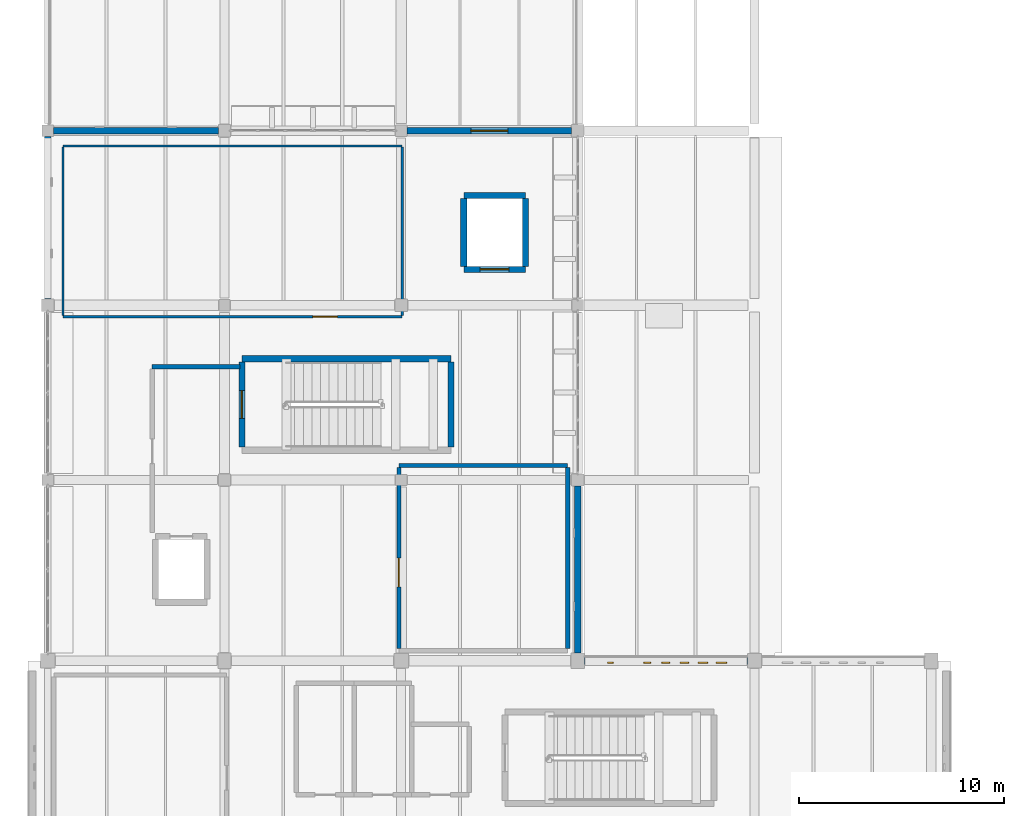
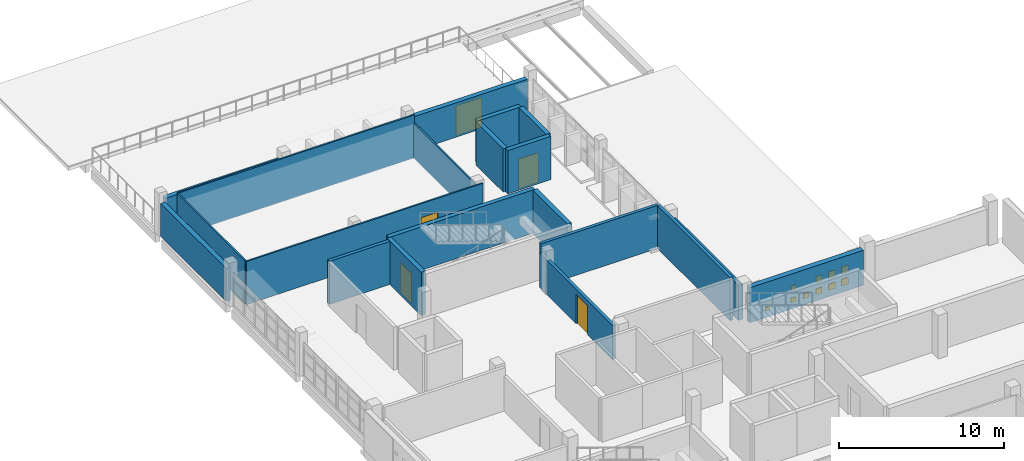
# One storey, part 43 of 55: 20 walls, 10 windows, 5 doors, 15 openings.
"""IFC4 building model written with IfcOpenShell, lengths in metres."""

from ifc_helpers import new_model, si_unit, direction, frame, frame_2d, origin, place, context, subcontext, project, spatial, rectangle, extrude, material, layer, layer_set, type_object, element, fill, save


model = new_model("IFC4")

# Units and contexts
model_context = context("Model", 3, precision=1e-05, world=origin(), true_north=direction((0.0, 1.0)))
body_context = subcontext(model_context, "Body", "Model", "MODEL_VIEW")
ifc_project = project(units=[si_unit("LENGTHUNIT", "METRE"), si_unit("AREAUNIT", "SQUARE_METRE"), si_unit("VOLUMEUNIT", "CUBIC_METRE"), si_unit("PLANEANGLEUNIT", "RADIAN"), si_unit("MASSUNIT", "GRAM", prefix="KILO")], contexts=[model_context])

# Site, building, storey
site_placement = place(None, origin())
site = spatial("IfcSite", under=ifc_project, at=site_placement, CompositionType="ELEMENT")
building_placement = place(site_placement, origin())
building = spatial("IfcBuilding", under=site, at=building_placement, Name="Varnakota Cinema and Media Centre", CompositionType="ELEMENT")
storey_placement = place(building_placement, frame((0.0, 0.0, 15.60009765625)))
storey = spatial("IfcBuildingStorey", under=building, at=storey_placement, Name="L04", CompositionType="ELEMENT", Elevation=15.60009765625)

# Wall, opening, door
ifc_material_1 = material(Name="Autoclaved aerated concrete blockwork", Category="masonry")
ifc_layer_1 = layer(ifc_material_1, 0.2099609375)
ifc_layer_set_1 = layer_set([ifc_layer_1], Name="Autoclaved aerated concrete blockwork")
wall_type_1 = type_object("IfcWallType", Name="W-ACOUST-210", PredefinedType="PARTITIONING", material=ifc_layer_set_1)
wall_1_placement = place(storey_placement, frame((17.094970703125, 35.800048828125, 0.0), z_axis=(0.0, 0.0, 1.0), x_axis=(0.0, 1.0, 0.0)))
wall_1 = element("IfcWall", 1, at=wall_1_placement, inside=storey, type_object=wall_type_1, Name="L04 RWALL-RM-L04-TV2 W wall", PredefinedType="PARTITIONING", context=body_context, shape_type="SweptSolid", body=[
    extrude(rectangle(XDim=8.800048828125, YDim=0.2099609375, at=frame_2d((4.39990234375, 0.0))), origin(), (0.0, 0.0, 1.0), 2.52978515625),
])
opening_1_placement = place(wall_1_placement, frame((3.0, 0.0, 0.0)))
opening_1 = element("IfcOpeningElement", 2, at=opening_1_placement, cuts=wall_1, Name="Opening D-102", PredefinedType="OPENING", context=body_context, shape_type="SweptSolid", body=[
    extrude(rectangle(XDim=1.39990234375, YDim=2.14990234375, at=frame_2d((0.699951171875, 1.074951171875))), frame((0.0, 0.10498046875, 0.0), z_axis=(0.0, -1.0, 0.0), x_axis=(1.0, 0.0, 0.0)), (0.0, 0.0, 1.0), 0.2099609375),
])
ifc_material_2 = material(Name="Thermally broken anodised aluminium AW-6063", Category="aluminium")
door_type_1 = type_object("IfcDoorType", Name="DR-STD-1400x2150", OperationType="DOUBLE_DOOR_SINGLE_SWING", PredefinedType="DOOR", material=ifc_material_2)
door_1_placement = place(opening_1_placement, origin())
door_1 = element("IfcDoor", 3, at=door_1_placement, inside=storey, type_object=door_type_1, Name="L04 door D-102", OperationType="DOUBLE_DOOR_SINGLE_SWING", OverallHeight=2.14990234375, OverallWidth=1.39990234375, PredefinedType="DOOR", context=body_context, shape_type="SweptSolid", body=[
    extrude(rectangle(XDim=1.39990234375, YDim=2.14990234375, at=frame_2d((0.699951171875, 1.074951171875))), frame((0.0, 0.02490234375, 0.0), z_axis=(0.0, -1.0, 0.0), x_axis=(1.0, 0.0, 0.0)), (0.0, 0.0, 1.0), 0.050048828125),
])
fill(opening_1, door_1)

# Walls
wall_2_placement = place(storey_placement, frame((17.094970703125, 44.705078125, 0.0), z_axis=(0.0, 0.0, 1.0), x_axis=(1.0, 0.0, 0.0)))
element("IfcWall", 4, at=wall_2_placement, inside=storey, type_object=wall_type_1, Name="L04 RWALL-RM-L04-TV2 N wall", PredefinedType="PARTITIONING", context=body_context, shape_type="SweptSolid", body=[
    extrude(rectangle(XDim=8.2099609375, YDim=0.2099609375, at=frame_2d((4.10498046875, 0.0))), origin(), (0.0, 0.0, 1.0), 3.179931640625),
])
wall_3_placement = place(storey_placement, frame((25.304931640625, 44.60009765625, 0.0), z_axis=(0.0, 0.0, 1.0), x_axis=(0.0, -1.0, 0.0)))
element("IfcWall", 5, at=wall_3_placement, inside=storey, type_object=wall_type_1, Name="L04 RWALL-RM-L04-TV2 E wall", PredefinedType="PARTITIONING", context=body_context, shape_type="SweptSolid", body=[
    extrude(rectangle(XDim=8.800048828125, YDim=0.2099609375, at=frame_2d((4.39990234375, 0.0))), origin(), (0.0, 0.0, 1.0), 3.179931640625),
])
ifc_material_3 = material(Name="Autoclaved aerated concrete blockwork", Category="masonry")
ifc_layer_2 = layer(ifc_material_3, 0.22998046875)
ifc_layer_set_2 = layer_set([ifc_layer_2], Name="Autoclaved aerated concrete blockwork")
wall_type_2 = type_object("IfcWallType", Name="W-BOX-230", PredefinedType="PARTITIONING", material=ifc_layer_set_2)
wall_4_placement = place(storey_placement, frame((5.0849609375, 49.514892578125, 0.0), z_axis=(0.0, 0.0, 1.0), x_axis=(1.0, 0.0, 0.0)))
element("IfcWall", 6, at=wall_4_placement, inside=storey, type_object=wall_type_2, Name="L04 RWALL-RM-L04-FF-2 N wall", PredefinedType="PARTITIONING", context=body_context, shape_type="SweptSolid", body=[
    extrude(rectangle(XDim=4.280029296875, YDim=0.22998046875, at=frame_2d((2.14013671875, 0.0))), origin(), (0.0, 0.0, 1.0), 3.179931640625),
])

# Wall, opening, door
ifc_material_4 = material(Name="Concrete M40", Category="concrete")
ifc_layer_3 = layer(ifc_material_4, 0.300048828125)
ifc_layer_set_3 = layer_set([ifc_layer_3], Name="Concrete M40")
wall_type_3 = type_object("IfcWallType", Name="W-CORE-300", PredefinedType="SHEAR", material=ifc_layer_set_3)
wall_5_placement = place(storey_placement, frame((9.449951171875, 45.60009765625, 0.0), z_axis=(0.0, 0.0, 1.0), x_axis=(0.0, 1.0, 0.0)))
wall_5 = element("IfcWall", 7, at=wall_5_placement, inside=storey, type_object=wall_type_3, Name="L04 CWALL-ST-03-L04 W wall", PredefinedType="SHEAR", context=body_context, shape_type="SweptSolid", body=[
    extrude(rectangle(XDim=4.14990234375, YDim=0.300048828125, at=frame_2d((2.074951171875, 0.0))), origin(), (0.0, 0.0, 1.0), 3.199951171875),
])
opening_2_placement = place(wall_5_placement, frame((1.39990234375, 0.0, 0.0)))
opening_2 = element("IfcOpeningElement", 8, at=opening_2_placement, cuts=wall_5, Name="Opening SD-03", PredefinedType="OPENING", context=body_context, shape_type="SweptSolid", body=[
    extrude(rectangle(XDim=1.35009765625, YDim=2.199951171875, at=frame_2d((0.675048828125, 1.10009765625))), frame((0.0, 0.14990234375, 0.0), z_axis=(0.0, -1.0, 0.0), x_axis=(1.0, 0.0, 0.0)), (0.0, 0.0, 1.0), 0.300048828125),
])
ifc_material_5 = material(Name="Thermally broken anodised aluminium AW-6063", Category="aluminium")
door_type_2 = type_object("IfcDoorType", Name="DR-STAIR-1350x2200", OperationType="NOTDEFINED", PredefinedType="DOOR", material=ifc_material_5)
door_2_placement = place(opening_2_placement, origin())
door_2 = element("IfcDoor", 9, at=door_2_placement, inside=storey, type_object=door_type_2, Name="L04 door SD-03", OperationType="SINGLE_SWING_LEFT", OverallHeight=2.199951171875, OverallWidth=1.35009765625, PredefinedType="DOOR", context=body_context, shape_type="SweptSolid", body=[
    extrude(rectangle(XDim=1.35009765625, YDim=2.199951171875, at=frame_2d((0.675048828125, 1.10009765625))), frame((0.0, 0.02490234375, 0.0), z_axis=(0.0, -1.0, 0.0), x_axis=(1.0, 0.0, 0.0)), (0.0, 0.0, 1.0), 0.050048828125),
])
fill(opening_2, door_2)

# Walls
wall_6_placement = place(storey_placement, frame((9.449951171875, 49.89990234375, 0.0), z_axis=(0.0, 0.0, 1.0), x_axis=(1.0, 0.0, 0.0)))
element("IfcWall", 10, at=wall_6_placement, inside=storey, type_object=wall_type_3, Name="L04 CWALL-ST-03-L04 N wall", PredefinedType="SHEAR", context=body_context, shape_type="SweptSolid", body=[
    extrude(rectangle(XDim=10.179931640625, YDim=0.300048828125, at=frame_2d((5.08984375, 0.0))), origin(), (0.0, 0.0, 1.0), 3.199951171875),
])
wall_7_placement = place(storey_placement, frame((19.6298828125, 49.75, 0.0), z_axis=(0.0, 0.0, 1.0), x_axis=(0.0, -1.0, 0.0)))
element("IfcWall", 11, at=wall_7_placement, inside=storey, type_object=wall_type_3, Name="L04 CWALL-ST-03-L04 E wall", PredefinedType="SHEAR", context=body_context, shape_type="SweptSolid", body=[
    extrude(rectangle(XDim=4.14990234375, YDim=0.300048828125, at=frame_2d((2.074951171875, 0.0))), origin(), (0.0, 0.0, 1.0), 3.199951171875),
])

# Wall, opening, door
wall_8_placement = place(storey_placement, frame((23.25, 54.25, 0.0), z_axis=(0.0, 0.0, 1.0), x_axis=(-1.0, 0.0, 0.0)))
wall_8 = element("IfcWall", 12, at=wall_8_placement, inside=storey, type_object=wall_type_3, Name="L04 LSHAFT-LF-07-L04 S wall", PredefinedType="SHEAR", context=body_context, shape_type="SweptSolid", body=[
    extrude(rectangle(XDim=3.0, YDim=0.300048828125, at=frame_2d((1.5, 0.0))), origin(), (0.0, 0.0, 1.0), 3.199951171875),
])
opening_3_placement = place(wall_8_placement, frame((0.800048828125, 0.0, 0.0)))
opening_3 = element("IfcOpeningElement", 13, at=opening_3_placement, cuts=wall_8, Name="Opening LD-07", PredefinedType="OPENING", context=body_context, shape_type="SweptSolid", body=[
    extrude(rectangle(XDim=1.39990234375, YDim=2.199951171875, at=frame_2d((0.699951171875, 1.10009765625))), frame((0.0, 0.14990234375, 0.0), z_axis=(0.0, -1.0, 0.0), x_axis=(1.0, 0.0, 0.0)), (0.0, 0.0, 1.0), 0.300048828125),
])
ifc_material_6 = material(Name="Thermally broken anodised aluminium AW-6063", Category="aluminium")
door_type_3 = type_object("IfcDoorType", Name="DR-LIFT-1400x2200", OperationType="DOUBLE_DOOR_SLIDING", PredefinedType="DOOR", material=ifc_material_6)
door_3_placement = place(opening_3_placement, origin())
door_3 = element("IfcDoor", 14, at=door_3_placement, inside=storey, type_object=door_type_3, Name="L04 door LD-07", OperationType="DOUBLE_DOOR_SLIDING", OverallHeight=2.199951171875, OverallWidth=1.39990234375, PredefinedType="DOOR", context=body_context, shape_type="SweptSolid", body=[
    extrude(rectangle(XDim=1.39990234375, YDim=2.199951171875, at=frame_2d((0.699951171875, 1.10009765625))), frame((0.0, 0.02490234375, 0.0), z_axis=(0.0, -1.0, 0.0), x_axis=(1.0, 0.0, 0.0)), (0.0, 0.0, 1.0), 0.050048828125),
])
fill(opening_3, door_3)

# Walls
wall_9_placement = place(storey_placement, frame((20.25, 54.39990234375, 0.0), z_axis=(0.0, 0.0, 1.0), x_axis=(0.0, 1.0, 0.0)))
element("IfcWall", 15, at=wall_9_placement, inside=storey, type_object=wall_type_3, Name="L04 LSHAFT-LF-07-L04 W wall", PredefinedType="SHEAR", context=body_context, shape_type="SweptSolid", body=[
    extrude(rectangle(XDim=3.300048828125, YDim=0.300048828125, at=frame_2d((1.64990234375, 0.0))), origin(), (0.0, 0.0, 1.0), 3.199951171875),
])
wall_10_placement = place(storey_placement, frame((20.25, 57.85009765625, 0.0), z_axis=(0.0, 0.0, 1.0), x_axis=(1.0, 0.0, 0.0)))
element("IfcWall", 16, at=wall_10_placement, inside=storey, type_object=wall_type_3, Name="L04 LSHAFT-LF-07-L04 N wall", PredefinedType="SHEAR", context=body_context, shape_type="SweptSolid", body=[
    extrude(rectangle(XDim=3.0, YDim=0.300048828125, at=frame_2d((1.5, 0.0))), origin(), (0.0, 0.0, 1.0), 3.199951171875),
])
wall_11_placement = place(storey_placement, frame((23.25, 57.699951171875, 0.0), z_axis=(0.0, 0.0, 1.0), x_axis=(0.0, -1.0, 0.0)))
element("IfcWall", 17, at=wall_11_placement, inside=storey, type_object=wall_type_3, Name="L04 LSHAFT-LF-07-L04 E wall", PredefinedType="SHEAR", context=body_context, shape_type="SweptSolid", body=[
    extrude(rectangle(XDim=3.300048828125, YDim=0.300048828125, at=frame_2d((1.64990234375, 0.0))), origin(), (0.0, 0.0, 1.0), 3.199951171875),
])
ifc_material_7 = material(Name="Deccan grey granite ashlar", Category="masonry")
ifc_layer_4 = layer(ifc_material_7, 0.320068359375)
ifc_layer_set_4 = layer_set([ifc_layer_4], Name="Deccan grey granite ashlar")
wall_type_4 = type_object("IfcWallType", Name="W-EXT-GRAN-320", PredefinedType="SOLIDWALL", material=ifc_layer_set_4)
wall_12_placement = place(storey_placement, frame((25.800048828125, 35.574951171875, 0.0), z_axis=(0.0, 0.0, 1.0), x_axis=(0.0, 1.0, 0.0)))
element("IfcWall", 18, at=wall_12_placement, inside=storey, type_object=wall_type_4, Name="L04 exterior wall V5-E-1", PredefinedType="SOLIDWALL", context=body_context, shape_type="SweptSolid", body=[
    extrude(rectangle(XDim=8.125, YDim=0.320068359375, at=frame_2d((4.0625, 0.0))), origin(), (0.0, 0.0, 1.0), 2.5849609375),
])
wall_13_placement = place(storey_placement, frame((0.27490234375, 61.0, 0.0), z_axis=(0.0, 0.0, 1.0), x_axis=(1.0, 0.0, 0.0)))
element("IfcWall", 19, at=wall_13_placement, inside=storey, type_object=wall_type_4, Name="L04 exterior wall V5-N-1", PredefinedType="SOLIDWALL", context=body_context, shape_type="SweptSolid", body=[
    extrude(rectangle(XDim=8.025146484375, YDim=0.320068359375, at=frame_2d((4.0126953125, 0.0))), origin(), (0.0, 0.0, 1.0), 2.5849609375),
])

# Wall, opening, door
wall_14_placement = place(storey_placement, frame((17.47509765625, 61.0, 0.0), z_axis=(0.0, 0.0, 1.0), x_axis=(1.0, 0.0, 0.0)))
wall_14 = element("IfcWall", 20, at=wall_14_placement, inside=storey, type_object=wall_type_4, Name="L04 exterior wall V5-N-3", PredefinedType="SOLIDWALL", context=body_context, shape_type="SweptSolid", body=[
    extrude(rectangle(XDim=8.02490234375, YDim=0.320068359375, at=frame_2d((4.012451171875, 0.0))), origin(), (0.0, 0.0, 1.0), 2.534912109375),
])
opening_4_placement = place(wall_14_placement, frame((3.125, 0.0, 0.0)))
opening_4 = element("IfcOpeningElement", 21, at=opening_4_placement, cuts=wall_14, Name="Opening TD-05", PredefinedType="OPENING", context=body_context, shape_type="SweptSolid", body=[
    extrude(rectangle(XDim=1.800048828125, YDim=2.199951171875, at=frame_2d((0.89990234375, 1.10009765625))), frame((0.0, 0.16015625, 0.0), z_axis=(0.0, -1.0, 0.0), x_axis=(1.0, 0.0, 0.0)), (0.0, 0.0, 1.0), 0.320068359375),
])
ifc_material_8 = material(Name="Anodised golden-bronze aluminium AW-6063", Category="aluminium")
door_type_4 = type_object("IfcDoorType", Name="DR-TERR-1800x2200", OperationType="DOUBLE_DOOR_SINGLE_SWING", PredefinedType="DOOR", material=ifc_material_8)
door_4_placement = place(opening_4_placement, origin())
door_4 = element("IfcDoor", 22, at=door_4_placement, inside=storey, type_object=door_type_4, Name="L04 door TD-05", OperationType="DOUBLE_DOOR_SINGLE_SWING", OverallHeight=2.199951171875, OverallWidth=1.800048828125, PredefinedType="DOOR", context=body_context, shape_type="SweptSolid", body=[
    extrude(rectangle(XDim=1.800048828125, YDim=2.199951171875, at=frame_2d((0.89990234375, 1.10009765625))), frame((0.0, 0.02490234375, 0.0), z_axis=(0.0, -1.0, 0.0), x_axis=(1.0, 0.0, 0.0)), (0.0, 0.0, 1.0), 0.050048828125),
])
fill(opening_4, door_4)

# Wall
wall_15_placement = place(storey_placement, frame((0.0, 60.72509765625, 0.0), z_axis=(0.0, 0.0, 1.0), x_axis=(0.0, -1.0, 0.0)))
element("IfcWall", 23, at=wall_15_placement, inside=storey, type_object=wall_type_4, Name="L04 exterior wall V5-W-1", PredefinedType="SOLIDWALL", context=body_context, shape_type="SweptSolid", body=[
    extrude(rectangle(XDim=7.925048828125, YDim=0.320068359375, at=frame_2d((3.96240234375, 0.0))), origin(), (0.0, 0.0, 1.0), 2.434814453125),
])

# Wall, openings, windows
ifc_material_9 = material(Name="Pale Tandur limestone cladding", Category="masonry")
ifc_layer_5 = layer(ifc_material_9, 0.360107421875)
ifc_layer_set_5 = layer_set([ifc_layer_5], Name="Pale Tandur limestone cladding")
wall_type_5 = type_object("IfcWallType", Name="W-EXT-TANDUR-360", PredefinedType="SOLIDWALL", material=ifc_layer_set_5)
wall_16_placement = place(storey_placement, frame((26.125, 35.199951171875, 0.0), z_axis=(0.0, 0.0, 1.0), x_axis=(1.0, 0.0, 0.0)))
wall_16 = element("IfcWall", 24, at=wall_16_placement, inside=storey, type_object=wall_type_5, Name="L04 V4 pale Tandur stone monolith wall V4-N-01", PredefinedType="SOLIDWALL", context=body_context, shape_type="SweptSolid", body=[
    extrude(rectangle(XDim=7.925048828125, YDim=0.360107421875, at=frame_2d((3.96240234375, 0.0))), origin(), (0.0, 0.0, 1.0), 2.5849609375),
])
opening_5_placement = place(wall_16_placement, frame((1.12255859375, 0.0, 0.419921875)))
opening_5 = element("IfcOpeningElement", 25, at=opening_5_placement, cuts=wall_16, Name="Opening WP15", PredefinedType="OPENING", context=body_context, shape_type="SweptSolid", body=[
    extrude(rectangle(XDim=0.280029296875, YDim=0.280029296875, at=frame_2d((0.14013671875, 0.14013671875))), frame((0.0, 0.18017578125, 0.0), z_axis=(0.0, -1.0, 0.0), x_axis=(1.0, 0.0, 0.0)), (0.0, 0.0, 1.0), 0.360107421875),
])
opening_6_placement = place(wall_16_placement, frame((2.892578125, 0.0, 0.419921875)))
opening_6 = element("IfcOpeningElement", 26, at=opening_6_placement, cuts=wall_16, Name="Opening WP12", PredefinedType="OPENING", context=body_context, shape_type="SweptSolid", body=[
    extrude(rectangle(XDim=0.340087890625, YDim=0.340087890625, at=frame_2d((0.169921875, 0.169921875))), frame((0.0, 0.18017578125, 0.0), z_axis=(0.0, -1.0, 0.0), x_axis=(1.0, 0.0, 0.0)), (0.0, 0.0, 1.0), 0.360107421875),
])
opening_7_placement = place(wall_16_placement, frame((2.892578125, 0.0, 1.320068359375)))
opening_7 = element("IfcOpeningElement", 27, at=opening_7_placement, cuts=wall_16, Name="Opening WP12", PredefinedType="OPENING", context=body_context, shape_type="SweptSolid", body=[
    extrude(rectangle(XDim=0.340087890625, YDim=0.340087890625, at=frame_2d((0.169921875, 0.169921875))), frame((0.0, 0.18017578125, 0.0), z_axis=(0.0, -1.0, 0.0), x_axis=(1.0, 0.0, 0.0)), (0.0, 0.0, 1.0), 0.360107421875),
])
opening_8_placement = place(wall_16_placement, frame((3.7724609375, 0.0, 0.419921875)))
opening_8 = element("IfcOpeningElement", 28, at=opening_8_placement, cuts=wall_16, Name="Opening WP10", PredefinedType="OPENING", context=body_context, shape_type="SweptSolid", body=[
    extrude(rectangle(XDim=0.3798828125, YDim=0.3798828125, at=frame_2d((0.18994140625, 0.18994140625))), frame((0.0, 0.18017578125, 0.0), z_axis=(0.0, -1.0, 0.0), x_axis=(1.0, 0.0, 0.0)), (0.0, 0.0, 1.0), 0.360107421875),
])
opening_9_placement = place(wall_16_placement, frame((4.652587890625, 0.0, 0.419921875)))
opening_9 = element("IfcOpeningElement", 29, at=opening_9_placement, cuts=wall_16, Name="Opening WP08", PredefinedType="OPENING", context=body_context, shape_type="SweptSolid", body=[
    extrude(rectangle(XDim=0.419921875, YDim=0.419921875, at=frame_2d((0.2099609375, 0.2099609375))), frame((0.0, 0.18017578125, 0.0), z_axis=(0.0, -1.0, 0.0), x_axis=(1.0, 0.0, 0.0)), (0.0, 0.0, 1.0), 0.360107421875),
])
opening_10_placement = place(wall_16_placement, frame((4.652587890625, 0.0, 1.320068359375)))
opening_10 = element("IfcOpeningElement", 30, at=opening_10_placement, cuts=wall_16, Name="Opening WP08", PredefinedType="OPENING", context=body_context, shape_type="SweptSolid", body=[
    extrude(rectangle(XDim=0.419921875, YDim=0.419921875, at=frame_2d((0.2099609375, 0.2099609375))), frame((0.0, 0.18017578125, 0.0), z_axis=(0.0, -1.0, 0.0), x_axis=(1.0, 0.0, 0.0)), (0.0, 0.0, 1.0), 0.360107421875),
])
opening_11_placement = place(wall_16_placement, frame((5.532470703125, 0.0, 0.419921875)))
opening_11 = element("IfcOpeningElement", 31, at=opening_11_placement, cuts=wall_16, Name="Opening WP06", PredefinedType="OPENING", context=body_context, shape_type="SweptSolid", body=[
    extrude(rectangle(XDim=0.4599609375, YDim=0.4599609375, at=frame_2d((0.22998046875, 0.22998046875))), frame((0.0, 0.18017578125, 0.0), z_axis=(0.0, -1.0, 0.0), x_axis=(1.0, 0.0, 0.0)), (0.0, 0.0, 1.0), 0.360107421875),
])
opening_12_placement = place(wall_16_placement, frame((5.532470703125, 0.0, 1.320068359375)))
opening_12 = element("IfcOpeningElement", 32, at=opening_12_placement, cuts=wall_16, Name="Opening WP06", PredefinedType="OPENING", context=body_context, shape_type="SweptSolid", body=[
    extrude(rectangle(XDim=0.4599609375, YDim=0.4599609375, at=frame_2d((0.22998046875, 0.22998046875))), frame((0.0, 0.18017578125, 0.0), z_axis=(0.0, -1.0, 0.0), x_axis=(1.0, 0.0, 0.0)), (0.0, 0.0, 1.0), 0.360107421875),
])
opening_13_placement = place(wall_16_placement, frame((6.41259765625, 0.0, 0.419921875)))
opening_13 = element("IfcOpeningElement", 33, at=opening_13_placement, cuts=wall_16, Name="Opening WP04", PredefinedType="OPENING", context=body_context, shape_type="SweptSolid", body=[
    extrude(rectangle(XDim=0.5, YDim=0.5, at=frame_2d((0.25, 0.25))), frame((0.0, 0.18017578125, 0.0), z_axis=(0.0, -1.0, 0.0), x_axis=(1.0, 0.0, 0.0)), (0.0, 0.0, 1.0), 0.360107421875),
])
opening_14_placement = place(wall_16_placement, frame((6.41259765625, 0.0, 1.320068359375)))
opening_14 = element("IfcOpeningElement", 34, at=opening_14_placement, cuts=wall_16, Name="Opening WP04", PredefinedType="OPENING", context=body_context, shape_type="SweptSolid", body=[
    extrude(rectangle(XDim=0.5, YDim=0.5, at=frame_2d((0.25, 0.25))), frame((0.0, 0.18017578125, 0.0), z_axis=(0.0, -1.0, 0.0), x_axis=(1.0, 0.0, 0.0)), (0.0, 0.0, 1.0), 0.360107421875),
])
ifc_material_10 = material(Name="Laminated solar-control double glazing", Category="glass")
window_type_1 = type_object("IfcWindowType", Name="WIN-PIERCE-04", PartitioningType="SINGLE_PANEL", PredefinedType="WINDOW", material=ifc_material_10)
window_1_placement = place(opening_13_placement, origin())
window_1 = element("IfcWindow", 35, at=window_1_placement, inside=storey, type_object=window_type_1, Name="L04 window WP04", OverallHeight=0.5, OverallWidth=0.5, PartitioningType="SINGLE_PANEL", PredefinedType="WINDOW", context=body_context, shape_type="SweptSolid", body=[
    extrude(rectangle(XDim=0.5, YDim=0.5, at=frame_2d((0.25, 0.25))), frame((0.0, -0.070068359375, 0.0), z_axis=(0.0, -1.0, 0.0), x_axis=(1.0, 0.0, 0.0)), (0.0, 0.0, 1.0), 0.06005859375),
])
fill(opening_13, window_1)
window_2_placement = place(opening_14_placement, origin())
window_2 = element("IfcWindow", 36, at=window_2_placement, inside=storey, type_object=window_type_1, Name="L04 window WP04", OverallHeight=0.5, OverallWidth=0.5, PartitioningType="SINGLE_PANEL", PredefinedType="WINDOW", context=body_context, shape_type="SweptSolid", body=[
    extrude(rectangle(XDim=0.5, YDim=0.5, at=frame_2d((0.25, 0.25))), frame((0.0, -0.070068359375, 0.0), z_axis=(0.0, -1.0, 0.0), x_axis=(1.0, 0.0, 0.0)), (0.0, 0.0, 1.0), 0.06005859375),
])
fill(opening_14, window_2)
ifc_material_11 = material(Name="Laminated solar-control double glazing", Category="glass")
window_type_2 = type_object("IfcWindowType", Name="WIN-PIERCE-06", PartitioningType="SINGLE_PANEL", PredefinedType="WINDOW", material=ifc_material_11)
window_3_placement = place(opening_11_placement, origin())
window_3 = element("IfcWindow", 37, at=window_3_placement, inside=storey, type_object=window_type_2, Name="L04 window WP06", OverallHeight=0.4599609375, OverallWidth=0.4599609375, PartitioningType="SINGLE_PANEL", PredefinedType="WINDOW", context=body_context, shape_type="SweptSolid", body=[
    extrude(rectangle(XDim=0.4599609375, YDim=0.4599609375, at=frame_2d((0.22998046875, 0.22998046875))), frame((0.0, -0.070068359375, 0.0), z_axis=(0.0, -1.0, 0.0), x_axis=(1.0, 0.0, 0.0)), (0.0, 0.0, 1.0), 0.06005859375),
])
fill(opening_11, window_3)
window_4_placement = place(opening_12_placement, origin())
window_4 = element("IfcWindow", 38, at=window_4_placement, inside=storey, type_object=window_type_2, Name="L04 window WP06", OverallHeight=0.4599609375, OverallWidth=0.4599609375, PartitioningType="SINGLE_PANEL", PredefinedType="WINDOW", context=body_context, shape_type="SweptSolid", body=[
    extrude(rectangle(XDim=0.4599609375, YDim=0.4599609375, at=frame_2d((0.22998046875, 0.22998046875))), frame((0.0, -0.070068359375, 0.0), z_axis=(0.0, -1.0, 0.0), x_axis=(1.0, 0.0, 0.0)), (0.0, 0.0, 1.0), 0.06005859375),
])
fill(opening_12, window_4)
ifc_material_12 = material(Name="Laminated solar-control double glazing", Category="glass")
window_type_3 = type_object("IfcWindowType", Name="WIN-PIERCE-08", PartitioningType="SINGLE_PANEL", PredefinedType="WINDOW", material=ifc_material_12)
window_5_placement = place(opening_9_placement, origin())
window_5 = element("IfcWindow", 39, at=window_5_placement, inside=storey, type_object=window_type_3, Name="L04 window WP08", OverallHeight=0.419921875, OverallWidth=0.419921875, PartitioningType="SINGLE_PANEL", PredefinedType="WINDOW", context=body_context, shape_type="SweptSolid", body=[
    extrude(rectangle(XDim=0.419921875, YDim=0.419921875, at=frame_2d((0.2099609375, 0.2099609375))), frame((0.0, -0.070068359375, 0.0), z_axis=(0.0, -1.0, 0.0), x_axis=(1.0, 0.0, 0.0)), (0.0, 0.0, 1.0), 0.06005859375),
])
fill(opening_9, window_5)
window_6_placement = place(opening_10_placement, origin())
window_6 = element("IfcWindow", 40, at=window_6_placement, inside=storey, type_object=window_type_3, Name="L04 window WP08", OverallHeight=0.419921875, OverallWidth=0.419921875, PartitioningType="SINGLE_PANEL", PredefinedType="WINDOW", context=body_context, shape_type="SweptSolid", body=[
    extrude(rectangle(XDim=0.419921875, YDim=0.419921875, at=frame_2d((0.2099609375, 0.2099609375))), frame((0.0, -0.070068359375, 0.0), z_axis=(0.0, -1.0, 0.0), x_axis=(1.0, 0.0, 0.0)), (0.0, 0.0, 1.0), 0.06005859375),
])
fill(opening_10, window_6)
ifc_material_13 = material(Name="Laminated solar-control double glazing", Category="glass")
window_type_4 = type_object("IfcWindowType", Name="WIN-PIERCE-10", PartitioningType="SINGLE_PANEL", PredefinedType="WINDOW", material=ifc_material_13)
window_7_placement = place(opening_8_placement, origin())
window_7 = element("IfcWindow", 41, at=window_7_placement, inside=storey, type_object=window_type_4, Name="L04 window WP10", OverallHeight=0.3798828125, OverallWidth=0.3798828125, PartitioningType="SINGLE_PANEL", PredefinedType="WINDOW", context=body_context, shape_type="SweptSolid", body=[
    extrude(rectangle(XDim=0.3798828125, YDim=0.3798828125, at=frame_2d((0.18994140625, 0.18994140625))), frame((0.0, -0.070068359375, 0.0), z_axis=(0.0, -1.0, 0.0), x_axis=(1.0, 0.0, 0.0)), (0.0, 0.0, 1.0), 0.06005859375),
])
fill(opening_8, window_7)
ifc_material_14 = material(Name="Laminated solar-control double glazing", Category="glass")
window_type_5 = type_object("IfcWindowType", Name="WIN-PIERCE-12", PartitioningType="SINGLE_PANEL", PredefinedType="WINDOW", material=ifc_material_14)
window_8_placement = place(opening_6_placement, origin())
window_8 = element("IfcWindow", 42, at=window_8_placement, inside=storey, type_object=window_type_5, Name="L04 window WP12", OverallHeight=0.340087890625, OverallWidth=0.340087890625, PartitioningType="SINGLE_PANEL", PredefinedType="WINDOW", context=body_context, shape_type="SweptSolid", body=[
    extrude(rectangle(XDim=0.340087890625, YDim=0.340087890625, at=frame_2d((0.169921875, 0.169921875))), frame((0.0, -0.070068359375, 0.0), z_axis=(0.0, -1.0, 0.0), x_axis=(1.0, 0.0, 0.0)), (0.0, 0.0, 1.0), 0.06005859375),
])
fill(opening_6, window_8)
window_9_placement = place(opening_7_placement, origin())
window_9 = element("IfcWindow", 43, at=window_9_placement, inside=storey, type_object=window_type_5, Name="L04 window WP12", OverallHeight=0.340087890625, OverallWidth=0.340087890625, PartitioningType="SINGLE_PANEL", PredefinedType="WINDOW", context=body_context, shape_type="SweptSolid", body=[
    extrude(rectangle(XDim=0.340087890625, YDim=0.340087890625, at=frame_2d((0.169921875, 0.169921875))), frame((0.0, -0.070068359375, 0.0), z_axis=(0.0, -1.0, 0.0), x_axis=(1.0, 0.0, 0.0)), (0.0, 0.0, 1.0), 0.06005859375),
])
fill(opening_7, window_9)
ifc_material_15 = material(Name="Laminated solar-control double glazing", Category="glass")
window_type_6 = type_object("IfcWindowType", Name="WIN-PIERCE-15", PartitioningType="SINGLE_PANEL", PredefinedType="WINDOW", material=ifc_material_15)
window_10_placement = place(opening_5_placement, origin())
window_10 = element("IfcWindow", 44, at=window_10_placement, inside=storey, type_object=window_type_6, Name="L04 window WP15", OverallHeight=0.280029296875, OverallWidth=0.280029296875, PartitioningType="SINGLE_PANEL", PredefinedType="WINDOW", context=body_context, shape_type="SweptSolid", body=[
    extrude(rectangle(XDim=0.280029296875, YDim=0.280029296875, at=frame_2d((0.14013671875, 0.14013671875))), frame((0.0, -0.070068359375, 0.0), z_axis=(0.0, -1.0, 0.0), x_axis=(1.0, 0.0, 0.0)), (0.0, 0.0, 1.0), 0.06005859375),
])
fill(opening_5, window_10)

# Wall, opening, door
ifc_material_16 = material(Name="Autoclaved aerated concrete blockwork", Category="masonry")
ifc_layer_6 = layer(ifc_material_16, 0.110107421875)
ifc_layer_set_6 = layer_set([ifc_layer_6], Name="Autoclaved aerated concrete blockwork")
wall_type_6 = type_object("IfcWallType", Name="W-PART-110", PredefinedType="PARTITIONING", material=ifc_layer_set_6)
wall_17_placement = place(storey_placement, frame((17.2548828125, 51.945068359375, 0.0), z_axis=(0.0, 0.0, 1.0), x_axis=(-1.0, 0.0, 0.0)))
wall_17 = element("IfcWall", 45, at=wall_17_placement, inside=storey, type_object=wall_type_6, Name="L04 RWALL-RM-L04-EDIT4 S wall", PredefinedType="PARTITIONING", context=body_context, shape_type="SweptSolid", body=[
    extrude(rectangle(XDim=16.509765625, YDim=0.110107421875, at=frame_2d((8.2548828125, 0.0))), origin(), (0.0, 0.0, 1.0), 3.179931640625),
])
opening_15_placement = place(wall_17_placement, frame((3.155029296875, 0.0, 0.0)))
opening_15 = element("IfcOpeningElement", 46, at=opening_15_placement, cuts=wall_17, Name="Opening D-103", PredefinedType="OPENING", context=body_context, shape_type="SweptSolid", body=[
    extrude(rectangle(XDim=1.199951171875, YDim=2.14990234375, at=frame_2d((0.60009765625, 1.074951171875))), frame((0.0, 0.05517578125, 0.0), z_axis=(0.0, -1.0, 0.0), x_axis=(1.0, 0.0, 0.0)), (0.0, 0.0, 1.0), 0.110107421875),
])
ifc_material_17 = material(Name="Thermally broken anodised aluminium AW-6063", Category="aluminium")
door_type_5 = type_object("IfcDoorType", Name="DR-STD-1200x2150", OperationType="NOTDEFINED", PredefinedType="DOOR", material=ifc_material_17)
door_5_placement = place(opening_15_placement, origin())
door_5 = element("IfcDoor", 47, at=door_5_placement, inside=storey, type_object=door_type_5, Name="L04 door D-103", OperationType="SINGLE_SWING_LEFT", OverallHeight=2.14990234375, OverallWidth=1.199951171875, PredefinedType="DOOR", context=body_context, shape_type="SweptSolid", body=[
    extrude(rectangle(XDim=1.199951171875, YDim=2.14990234375, at=frame_2d((0.60009765625, 1.074951171875))), frame((0.0, 0.02490234375, 0.0), z_axis=(0.0, -1.0, 0.0), x_axis=(1.0, 0.0, 0.0)), (0.0, 0.0, 1.0), 0.050048828125),
])
fill(opening_15, door_5)

# Walls
wall_18_placement = place(storey_placement, frame((0.7451171875, 52.0, 0.0), z_axis=(0.0, 0.0, 1.0), x_axis=(0.0, 1.0, 0.0)))
element("IfcWall", 48, at=wall_18_placement, inside=storey, type_object=wall_type_6, Name="L04 RWALL-RM-L04-EDIT4 W wall", PredefinedType="PARTITIONING", context=body_context, shape_type="SweptSolid", body=[
    extrude(rectangle(XDim=8.199951171875, YDim=0.110107421875, at=frame_2d((4.10009765625, 0.0))), origin(), (0.0, 0.0, 1.0), 3.179931640625),
])
wall_19_placement = place(storey_placement, frame((0.7451171875, 60.2548828125, 0.0), z_axis=(0.0, 0.0, 1.0), x_axis=(1.0, 0.0, 0.0)))
element("IfcWall", 49, at=wall_19_placement, inside=storey, type_object=wall_type_6, Name="L04 RWALL-RM-L04-EDIT4 N wall", PredefinedType="PARTITIONING", context=body_context, shape_type="SweptSolid", body=[
    extrude(rectangle(XDim=16.509765625, YDim=0.110107421875, at=frame_2d((8.2548828125, 0.0))), origin(), (0.0, 0.0, 1.0), 3.179931640625),
])
wall_20_placement = place(storey_placement, frame((17.2548828125, 60.199951171875, 0.0), z_axis=(0.0, 0.0, 1.0), x_axis=(0.0, -1.0, 0.0)))
element("IfcWall", 50, at=wall_20_placement, inside=storey, type_object=wall_type_6, Name="L04 RWALL-RM-L04-EDIT4 E wall", PredefinedType="PARTITIONING", context=body_context, shape_type="SweptSolid", body=[
    extrude(rectangle(XDim=8.199951171875, YDim=0.110107421875, at=frame_2d((4.10009765625, 0.0))), origin(), (0.0, 0.0, 1.0), 2.579833984375),
])

save(model, "model.ifc")
